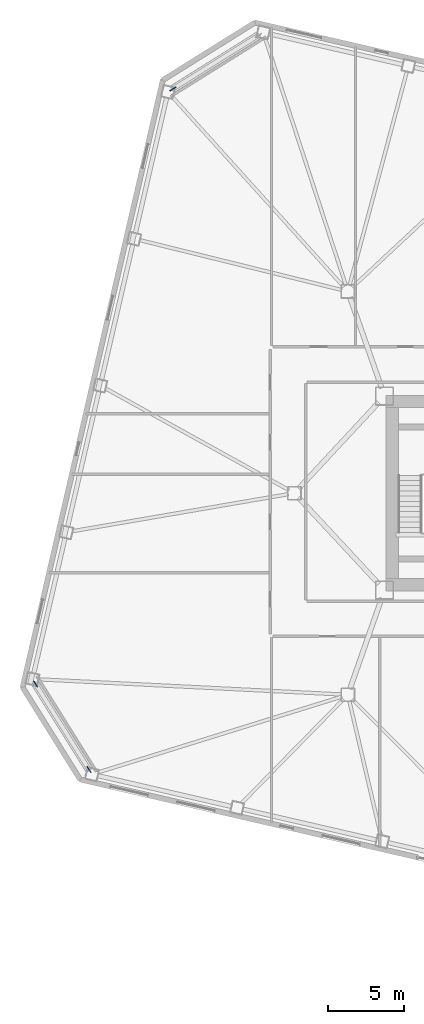
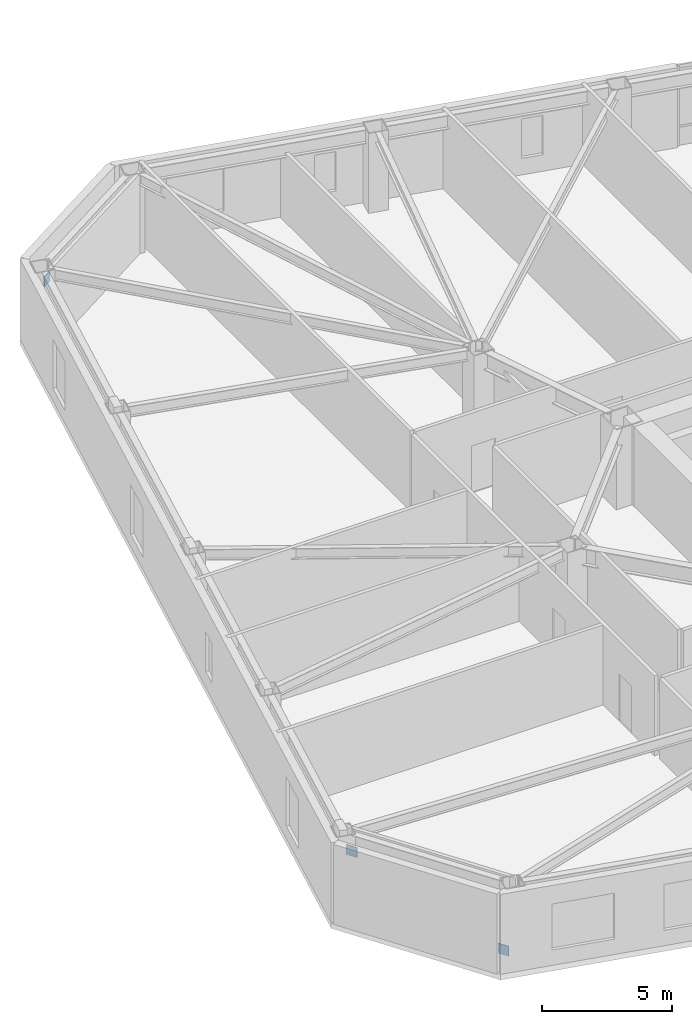
# One storey, part 16 of 20: 3 discrete accessories.
"""IFC4 building model written with IfcOpenShell, lengths in metres."""

from ifc_helpers import new_model, si_unit, direction, frame, origin, origin_2d, place, context, subcontext, project, spatial, rectangle, extrude, material, type_object, element, save


model = new_model("IFC4")

# Units and contexts
model_context = context("Model", 3, precision=1e-05, world=origin(), true_north=direction((0.0, 1.0)))
body_context = subcontext(model_context, "Body", "Model", "MODEL_VIEW")
ifc_project = project(units=[si_unit("LENGTHUNIT", "METRE"), si_unit("AREAUNIT", "SQUARE_METRE"), si_unit("VOLUMEUNIT", "CUBIC_METRE"), si_unit("PLANEANGLEUNIT", "RADIAN"), si_unit("MASSUNIT", "GRAM", prefix="KILO")], contexts=[model_context])

# Site, building, storey
site_placement = place(None, origin())
site = spatial("IfcSite", under=ifc_project, at=site_placement, CompositionType="ELEMENT")
building_placement = place(site_placement, origin())
building = spatial("IfcBuilding", under=site, at=building_placement, Name="Tavrogorsk Clinical Tower", CompositionType="ELEMENT")
storey_placement = place(building_placement, frame((0.0, 0.0, 67.39990234375)))
storey = spatial("IfcBuildingStorey", under=building, at=storey_placement, Name="L14", CompositionType="ELEMENT", Elevation=67.39990234375)

# Discrete accessories
ifc_material = material(Name="Structural steel S440", Category="steel")
discrete_accessory_type = type_object("IfcDiscreteAccessoryType", Name="GussetPlateBracket_25", PredefinedType="BRACKET", material=ifc_material)
for number, where, z_axis, x_axis, name in (
    (1, (-35.951904296875, 26.46240234375, 2.667724609375), (0.0, 0.0, 1.0), (-0.848048096156, -0.529919264233, 0.0), "L14 Brace Gusset Plate EXOCRN-L14-3-B"),
    (2, (-41.453857421875, -18.081787109375, 0.212646484375), (0.0, 0.0, 1.0), (-0.529919264233, 0.848048096156, 0.0), "L14 Brace Gusset Plate EXOCRN-L14-4-A"),
    (3, (-44.94580078125, -12.49365234375, 2.667724609375), (0.0, 0.0, 1.0), (-0.529919264233, 0.848048096156, 0.0), "L14 Brace Gusset Plate EXOCRN-L14-4-B"),
):
    element("IfcDiscreteAccessory", number, at=place(storey_placement, frame(where, z_axis=z_axis, x_axis=x_axis)), inside=storey, type_object=discrete_accessory_type, Name=name, PredefinedType="BRACKET", context=body_context, shape_type="SweptSolid", body=[
        extrude(rectangle(XDim=0.4599609375, YDim=0.0400390625, at=origin_2d()), origin(), (0.0, 0.0, 1.0), 0.4599609375),
    ])

save(model, "model.ifc")
